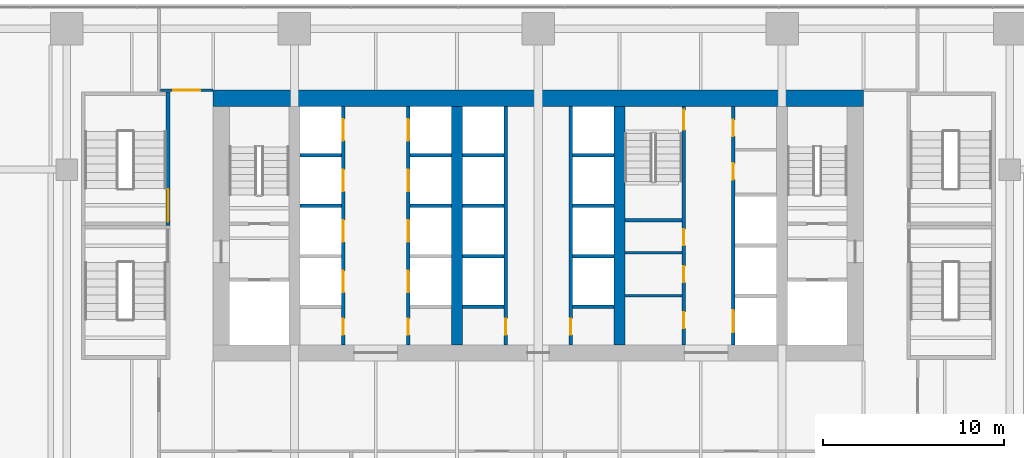
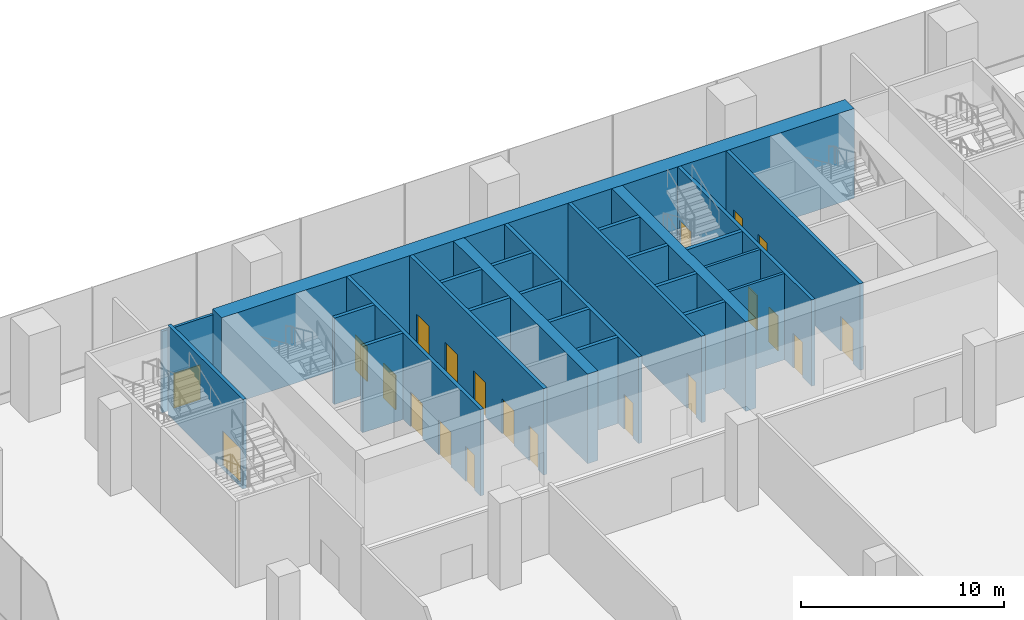
# One storey, part 20 of 26: 26 walls, 21 doors, 21 openings.
"""IFC4 building model written with IfcOpenShell, lengths in metres."""

from ifc_helpers import new_model, si_unit, direction, frame, frame_2d, origin, place, context, subcontext, project, spatial, rectangle, extrude, material, layer, layer_set, type_object, element, fill, save


model = new_model("IFC4")

# Units and contexts
model_context = context("Model", 3, precision=1e-05, world=origin(), true_north=direction((0.0, 1.0)))
body_context = subcontext(model_context, "Body", "Model", "MODEL_VIEW")
ifc_project = project(units=[si_unit("LENGTHUNIT", "METRE"), si_unit("AREAUNIT", "SQUARE_METRE"), si_unit("VOLUMEUNIT", "CUBIC_METRE"), si_unit("PLANEANGLEUNIT", "RADIAN"), si_unit("MASSUNIT", "GRAM", prefix="KILO")], contexts=[model_context])

# Site, building, storey
site_placement = place(None, origin())
site = spatial("IfcSite", under=ifc_project, at=site_placement, CompositionType="ELEMENT")
building_placement = place(site_placement, origin())
building = spatial("IfcBuilding", under=site, at=building_placement, Name="Rattan Terrace Tower", CompositionType="ELEMENT")
storey_placement = place(building_placement, frame((0.0, 0.0, 7.199951171875)))
storey = spatial("IfcBuildingStorey", under=building, at=storey_placement, Name="L01", CompositionType="ELEMENT", Elevation=7.199951171875)

# Walls
ifc_material_1 = material(Name="Gypsum board partition")
ifc_layer_1 = layer(ifc_material_1, 0.14990234375)
ifc_layer_set_1 = layer_set([ifc_layer_1], Name="Core partition 150")
wall_type_1 = type_object("IfcWallType", Name="Core partition 150", PredefinedType="PARTITIONING", material=ifc_layer_set_1)
for number, where, z_axis, x_axis, name in (
    (1, (4.800048828125, -3.8798828125, 0.0), (0.0, 0.0, 1.0), (1.0, 0.0, 0.0), "Toilet wall"),
    (2, (4.800048828125, -1.5, 0.0), (0.0, 0.0, 1.0), (1.0, 0.0, 0.0), "Toilet wall"),
):
    element("IfcWall", number, at=place(storey_placement, frame(where, z_axis=z_axis, x_axis=x_axis)), inside=storey, type_object=wall_type_1, Name=name, PredefinedType="PARTITIONING", context=body_context, shape_type="SweptSolid", body=[
        extrude(rectangle(XDim=3.14990234375, YDim=0.14990234375, at=frame_2d((1.574951171875, 0.0))), origin(), (0.0, 0.0, 1.0), 5.199951171875),
    ])

# Wall, openings, doors
ifc_material_2 = material(Name="Gypsum board partition")
ifc_layer_2 = layer(ifc_material_2, 0.199951171875)
ifc_layer_set_2 = layer_set([ifc_layer_2], Name="Core partition 200")
wall_type_2 = type_object("IfcWallType", Name="Core partition 200", PredefinedType="PARTITIONING", material=ifc_layer_set_2)
wall_1_placement = place(storey_placement, frame((8.050048828125, -6.60009765625, 0.0), z_axis=(0.0, 0.0, 1.0), x_axis=(0.0, 1.0, 0.0)))
wall_1 = element("IfcWall", 3, at=wall_1_placement, inside=storey, type_object=wall_type_2, Name="Lobby wall west", PredefinedType="PARTITIONING", context=body_context, shape_type="SweptSolid", body=[
    extrude(rectangle(XDim=13.2001953125, YDim=0.199951171875, at=frame_2d((6.60009765625, 0.0))), origin(), (0.0, 0.0, 1.0), 5.199951171875),
])
opening_1_placement = place(wall_1_placement, frame((0.909912109375, 0.0, 0.0)))
opening_1 = element("IfcOpeningElement", 4, at=opening_1_placement, cuts=wall_1, Name="Opening L01-D011", PredefinedType="OPENING", context=body_context, shape_type="SweptSolid", body=[
    extrude(rectangle(XDim=0.89990234375, YDim=2.10009765625, at=frame_2d((0.449951171875, 1.050048828125))), frame((0.0, 0.110595703125, 0.0), z_axis=(0.0, -1.0, 0.0), x_axis=(1.0, 0.0, 0.0)), (0.0, 0.0, 1.0), 0.220947265625),
])
opening_2_placement = place(wall_1_placement, frame((3.4599609375, 0.0, 0.0)))
opening_2 = element("IfcOpeningElement", 5, at=opening_2_placement, cuts=wall_1, Name="Opening L01-D012", PredefinedType="OPENING", context=body_context, shape_type="SweptSolid", body=[
    extrude(rectangle(XDim=0.89990234375, YDim=2.10009765625, at=frame_2d((0.449951171875, 1.050048828125))), frame((0.0, 0.110595703125, 0.0), z_axis=(0.0, -1.0, 0.0), x_axis=(1.0, 0.0, 0.0)), (0.0, 0.0, 1.0), 0.220947265625),
])
opening_3_placement = place(wall_1_placement, frame((5.5, 0.0, 0.0)))
opening_3 = element("IfcOpeningElement", 6, at=opening_3_placement, cuts=wall_1, Name="Opening L01-D013", PredefinedType="OPENING", context=body_context, shape_type="SweptSolid", body=[
    extrude(rectangle(XDim=0.89990234375, YDim=2.10009765625, at=frame_2d((0.449951171875, 1.050048828125))), frame((0.0, 0.110595703125, 0.0), z_axis=(0.0, -1.0, 0.0), x_axis=(1.0, 0.0, 0.0)), (0.0, 0.0, 1.0), 0.220947265625),
])
opening_4_placement = place(wall_1_placement, frame((11.89990234375, 0.0, 0.0)))
opening_4 = element("IfcOpeningElement", 7, at=opening_4_placement, cuts=wall_1, Name="Opening L01-D014", PredefinedType="OPENING", context=body_context, shape_type="SweptSolid", body=[
    extrude(rectangle(XDim=1.10009765625, YDim=2.10009765625, at=frame_2d((0.550048828125, 1.050048828125))), frame((0.0, 0.110595703125, 0.0), z_axis=(0.0, -1.0, 0.0), x_axis=(1.0, 0.0, 0.0)), (0.0, 0.0, 1.0), 0.220947265625),
])
ifc_material_3 = material(Name="Hollow-metal fire door leaf")
door_type_1 = type_object("IfcDoorType", Name="Core service room door 900", OperationType="NOTDEFINED", PredefinedType="DOOR", material=ifc_material_3)
door_1_placement = place(opening_3_placement, origin())
door_1 = element("IfcDoor", 8, at=door_1_placement, inside=storey, type_object=door_type_1, Name="Door L01-D013", OperationType="SINGLE_SWING_LEFT", OverallHeight=2.10009765625, OverallWidth=0.89990234375, PredefinedType="DOOR", context=body_context, shape_type="SweptSolid", body=[
    extrude(rectangle(XDim=0.89990234375, YDim=2.10009765625, at=frame_2d((0.449951171875, 1.050048828125))), frame((0.0, 0.02490234375, 0.0), z_axis=(0.0, -1.0, 0.0), x_axis=(1.0, 0.0, 0.0)), (0.0, 0.0, 1.0), 0.050048828125),
])
fill(opening_3, door_1)
ifc_material_4 = material(Name="Hollow-metal fire door leaf")
door_type_2 = type_object("IfcDoorType", Name="Core stair door 1100", OperationType="NOTDEFINED", PredefinedType="DOOR", material=ifc_material_4)
door_2_placement = place(opening_4_placement, origin())
door_2 = element("IfcDoor", 9, at=door_2_placement, inside=storey, type_object=door_type_2, Name="Door L01-D014", OperationType="SINGLE_SWING_RIGHT", OverallHeight=2.10009765625, OverallWidth=1.10009765625, PredefinedType="DOOR", context=body_context, shape_type="SweptSolid", body=[
    extrude(rectangle(XDim=1.10009765625, YDim=2.10009765625, at=frame_2d((0.550048828125, 1.050048828125))), frame((0.0, 0.02490234375, 0.0), z_axis=(0.0, -1.0, 0.0), x_axis=(1.0, 0.0, 0.0)), (0.0, 0.0, 1.0), 0.050048828125),
])
fill(opening_4, door_2)
ifc_material_5 = material(Name="Hollow-metal fire door leaf")
door_type_3 = type_object("IfcDoorType", Name="Core toilet door 900", OperationType="NOTDEFINED", PredefinedType="DOOR", material=ifc_material_5)
door_3_placement = place(opening_1_placement, origin())
door_3 = element("IfcDoor", 10, at=door_3_placement, inside=storey, type_object=door_type_3, Name="Door L01-D011", OperationType="SINGLE_SWING_LEFT", OverallHeight=2.10009765625, OverallWidth=0.89990234375, PredefinedType="DOOR", context=body_context, shape_type="SweptSolid", body=[
    extrude(rectangle(XDim=0.89990234375, YDim=2.10009765625, at=frame_2d((0.449951171875, 1.050048828125))), frame((0.0, 0.02490234375, 0.0), z_axis=(0.0, -1.0, 0.0), x_axis=(1.0, 0.0, 0.0)), (0.0, 0.0, 1.0), 0.050048828125),
])
fill(opening_1, door_3)
door_4_placement = place(opening_2_placement, origin())
door_4 = element("IfcDoor", 11, at=door_4_placement, inside=storey, type_object=door_type_3, Name="Door L01-D012", OperationType="SINGLE_SWING_RIGHT", OverallHeight=2.10009765625, OverallWidth=0.89990234375, PredefinedType="DOOR", context=body_context, shape_type="SweptSolid", body=[
    extrude(rectangle(XDim=0.89990234375, YDim=2.10009765625, at=frame_2d((0.449951171875, 1.050048828125))), frame((0.0, 0.02490234375, 0.0), z_axis=(0.0, -1.0, 0.0), x_axis=(1.0, 0.0, 0.0)), (0.0, 0.0, 1.0), 0.050048828125),
])
fill(opening_2, door_4)

# Walls
wall_2_placement = place(storey_placement, frame((4.800048828125, 0.300048828125, 0.0), z_axis=(0.0, 0.0, 1.0), x_axis=(1.0, 0.0, 0.0)))
element("IfcWall", 12, at=wall_2_placement, inside=storey, type_object=wall_type_2, Name="Stair enclosure wall", PredefinedType="PARTITIONING", context=body_context, shape_type="SweptSolid", body=[
    extrude(rectangle(XDim=3.14990234375, YDim=0.199951171875, at=frame_2d((1.574951171875, 0.0))), origin(), (0.0, 0.0, 1.0), 5.199951171875),
])
ifc_material_6 = material(Name="Concrete C70/85", Category="concrete")
ifc_layer_3 = layer(ifc_material_6, 0.89990234375)
ifc_layer_set_3 = layer_set([ifc_layer_3], Name="Core ring wall 900 C70/85")
wall_type_3 = type_object("IfcWallType", Name="Core ring wall 900 C70/85", PredefinedType="SHEAR", material=ifc_layer_set_3)
wall_3_placement = place(storey_placement, frame((-18.0, 7.050048828125, -0.199951171875), z_axis=(0.0, 0.0, 1.0), x_axis=(1.0, 0.0, 0.0)))
element("IfcWall", 13, at=wall_3_placement, inside=storey, type_object=wall_type_3, Name="Rear core wall north", PredefinedType="SHEAR", context=body_context, shape_type="SweptSolid", body=[
    extrude(rectangle(XDim=36.0, YDim=0.89990234375, at=frame_2d((18.0, 0.0))), origin(), (0.0, 0.0, 1.0), 5.39990234375),
])
ifc_material_7 = material(Name="Concrete C70/85", Category="concrete")
ifc_layer_4 = layer(ifc_material_7, 0.60009765625)
ifc_layer_set_4 = layer_set([ifc_layer_4], Name="Core spine wall 600 C70/85")
wall_type_4 = type_object("IfcWallType", Name="Core spine wall 600 C70/85", PredefinedType="SHEAR", material=ifc_layer_set_4)
for number, where, z_axis, x_axis, name in (
    (14, (-4.5, -6.60009765625, -0.199951171875), (0.0, 0.0, 1.0), (0.0, 1.0, 0.0), "Core spine wall 2"),
    (15, (4.5, -6.60009765625, -0.199951171875), (0.0, 0.0, 1.0), (0.0, 1.0, 0.0), "Core spine wall 3"),
):
    element("IfcWall", number, at=place(storey_placement, frame(where, z_axis=z_axis, x_axis=x_axis)), inside=storey, type_object=wall_type_4, Name=name, PredefinedType="SHEAR", context=body_context, shape_type="SweptSolid", body=[
        extrude(rectangle(XDim=13.2001953125, YDim=0.60009765625, at=frame_2d((6.60009765625, 0.0))), origin(), (0.0, 0.0, 1.0), 5.39990234375),
    ])

# Wall, opening, door
ifc_material_8 = material(Name="Gypsum board partition on steel studs, fire rated", Category="steel")
ifc_layer_5 = layer(ifc_material_8, 0.14990234375)
ifc_layer_set_5 = layer_set([ifc_layer_5], Name="Floors Tenancy Wall 150")
wall_type_5 = type_object("IfcWallType", Name="Floors Tenancy Wall 150", PredefinedType="PARTITIONING", material=ifc_layer_set_5)
wall_4_placement = place(storey_placement, frame((-20.909912109375, 7.4990234375, 0.0), z_axis=(0.0, 0.0, 1.0), x_axis=(1.0, 0.0, 0.0)))
wall_4 = element("IfcWall", 16, at=wall_4_placement, inside=storey, type_object=wall_type_5, Name="pt-L01-006", PredefinedType="PARTITIONING", context=body_context, shape_type="SweptSolid", body=[
    extrude(rectangle(XDim=2.909912109375, YDim=0.14990234375, at=frame_2d((1.455078125, 0.0))), origin(), (0.0, 0.0, 1.0), 4.900146484375),
])
opening_5_placement = place(wall_4_placement, frame((0.705078125, 0.0, 0.0)))
opening_5 = element("IfcOpeningElement", 17, at=opening_5_placement, cuts=wall_4, Name="Opening L01-D105", PredefinedType="OPENING", context=body_context, shape_type="SweptSolid", body=[
    extrude(rectangle(XDim=1.5, YDim=2.10009765625, at=frame_2d((0.75, 1.050048828125))), frame((0.0, 0.08544921875, 0.0), z_axis=(0.0, -1.0, 0.0), x_axis=(1.0, 0.0, 0.0)), (0.0, 0.0, 1.0), 0.1708984375),
])
ifc_material_9 = material(Name="Steel fire door set", Category="steel")
door_type_4 = type_object("IfcDoorType", Name="Floors Unit Door Pair FD30S 1500x2100", OperationType="NOTDEFINED", PredefinedType="DOOR", material=ifc_material_9)
door_5_placement = place(opening_5_placement, origin())
door_5 = element("IfcDoor", 18, at=door_5_placement, inside=storey, type_object=door_type_4, Name="d-L01-105", OperationType="DOUBLE_DOOR_SINGLE_SWING", OverallHeight=2.10009765625, OverallWidth=1.5, PredefinedType="DOOR", context=body_context, shape_type="SweptSolid", body=[
    extrude(rectangle(XDim=1.5, YDim=2.10009765625, at=frame_2d((0.75, 1.050048828125))), frame((0.0, 0.02490234375, 0.0), z_axis=(0.0, -1.0, 0.0), x_axis=(1.0, 0.0, 0.0)), (0.0, 0.0, 1.0), 0.050048828125),
])
fill(opening_5, door_5)

# Wall, openings, doors
ifc_material_10 = material(Name="Gypsum shaft wall system")
ifc_layer_6 = layer(ifc_material_10, 0.199951171875)
ifc_layer_set_6 = layer_set([ifc_layer_6], Name="Lift shaft wall 200")
wall_type_6 = type_object("IfcWallType", Name="Lift shaft wall 200", PredefinedType="PARTITIONING", material=ifc_layer_set_6)
wall_5_placement = place(storey_placement, frame((-10.800048828125, -6.60009765625, 0.0), z_axis=(0.0, 0.0, 1.0), x_axis=(0.0, 1.0, 0.0)))
wall_5 = element("IfcWall", 19, at=wall_5_placement, inside=storey, type_object=wall_type_6, Name="Lift shaft front wall", PredefinedType="PARTITIONING", context=body_context, shape_type="SweptSolid", body=[
    extrude(rectangle(XDim=13.2001953125, YDim=0.199951171875, at=frame_2d((6.60009765625, 0.0))), origin(), (0.0, 0.0, 1.0), 5.199951171875),
])
opening_6_placement = place(wall_5_placement, frame((0.550048828125, 0.0, 0.0)))
opening_6 = element("IfcOpeningElement", 20, at=opening_6_placement, cuts=wall_5, Name="Opening L01-D005", PredefinedType="OPENING", context=body_context, shape_type="SweptSolid", body=[
    extrude(rectangle(XDim=0.89990234375, YDim=2.10009765625, at=frame_2d((0.449951171875, 1.050048828125))), frame((0.0, 0.110595703125, 0.0), z_axis=(0.0, -1.0, 0.0), x_axis=(1.0, 0.0, 0.0)), (0.0, 0.0, 1.0), 0.220947265625),
])
opening_7_placement = place(wall_5_placement, frame((2.89990234375, 0.0, 0.0)))
opening_7 = element("IfcOpeningElement", 21, at=opening_7_placement, cuts=wall_5, Name="Opening L01-LD-LR1", PredefinedType="OPENING", context=body_context, shape_type="SweptSolid", body=[
    extrude(rectangle(XDim=1.199951171875, YDim=2.10009765625, at=frame_2d((0.60009765625, 1.050048828125))), frame((0.0, 0.110595703125, 0.0), z_axis=(0.0, -1.0, 0.0), x_axis=(1.0, 0.0, 0.0)), (0.0, 0.0, 1.0), 0.220947265625),
])
opening_8_placement = place(wall_5_placement, frame((5.699951171875, 0.0, 0.0)))
opening_8 = element("IfcOpeningElement", 22, at=opening_8_placement, cuts=wall_5, Name="Opening L01-LD-LR2", PredefinedType="OPENING", context=body_context, shape_type="SweptSolid", body=[
    extrude(rectangle(XDim=1.199951171875, YDim=2.10009765625, at=frame_2d((0.60009765625, 1.050048828125))), frame((0.0, 0.110595703125, 0.0), z_axis=(0.0, -1.0, 0.0), x_axis=(1.0, 0.0, 0.0)), (0.0, 0.0, 1.0), 0.220947265625),
])
opening_9_placement = place(wall_5_placement, frame((8.5, 0.0, 0.0)))
opening_9 = element("IfcOpeningElement", 23, at=opening_9_placement, cuts=wall_5, Name="Opening L01-LD-LR3", PredefinedType="OPENING", context=body_context, shape_type="SweptSolid", body=[
    extrude(rectangle(XDim=1.199951171875, YDim=2.10009765625, at=frame_2d((0.60009765625, 1.050048828125))), frame((0.0, 0.110595703125, 0.0), z_axis=(0.0, -1.0, 0.0), x_axis=(1.0, 0.0, 0.0)), (0.0, 0.0, 1.0), 0.220947265625),
])
opening_10_placement = place(wall_5_placement, frame((11.300048828125, 0.0, 0.0)))
opening_10 = element("IfcOpeningElement", 24, at=opening_10_placement, cuts=wall_5, Name="Opening L01-LD-LR4", PredefinedType="OPENING", context=body_context, shape_type="SweptSolid", body=[
    extrude(rectangle(XDim=1.199951171875, YDim=2.10009765625, at=frame_2d((0.60009765625, 1.050048828125))), frame((0.0, 0.110595703125, 0.0), z_axis=(0.0, -1.0, 0.0), x_axis=(1.0, 0.0, 0.0)), (0.0, 0.0, 1.0), 0.220947265625),
])
ifc_material_11 = material(Name="Brushed stainless landing door panel")
door_type_5 = type_object("IfcDoorType", Name="Core lift landing door 1200", OperationType="DOUBLE_DOOR_SLIDING", PredefinedType="DOOR", material=ifc_material_11)
door_6_placement = place(opening_7_placement, origin())
door_6 = element("IfcDoor", 25, at=door_6_placement, inside=storey, type_object=door_type_5, Name="Door L01-LD-LR1", OperationType="DOUBLE_DOOR_SLIDING", OverallHeight=2.10009765625, OverallWidth=1.199951171875, PredefinedType="DOOR", context=body_context, shape_type="SweptSolid", body=[
    extrude(rectangle(XDim=1.199951171875, YDim=2.10009765625, at=frame_2d((0.60009765625, 1.050048828125))), frame((0.0, 0.02490234375, 0.0), z_axis=(0.0, -1.0, 0.0), x_axis=(1.0, 0.0, 0.0)), (0.0, 0.0, 1.0), 0.050048828125),
])
fill(opening_7, door_6)
door_7_placement = place(opening_8_placement, origin())
door_7 = element("IfcDoor", 26, at=door_7_placement, inside=storey, type_object=door_type_5, Name="Door L01-LD-LR2", OperationType="DOUBLE_DOOR_SLIDING", OverallHeight=2.10009765625, OverallWidth=1.199951171875, PredefinedType="DOOR", context=body_context, shape_type="SweptSolid", body=[
    extrude(rectangle(XDim=1.199951171875, YDim=2.10009765625, at=frame_2d((0.60009765625, 1.050048828125))), frame((0.0, 0.02490234375, 0.0), z_axis=(0.0, -1.0, 0.0), x_axis=(1.0, 0.0, 0.0)), (0.0, 0.0, 1.0), 0.050048828125),
])
fill(opening_8, door_7)
door_8_placement = place(opening_9_placement, origin())
door_8 = element("IfcDoor", 27, at=door_8_placement, inside=storey, type_object=door_type_5, Name="Door L01-LD-LR3", OperationType="DOUBLE_DOOR_SLIDING", OverallHeight=2.10009765625, OverallWidth=1.199951171875, PredefinedType="DOOR", context=body_context, shape_type="SweptSolid", body=[
    extrude(rectangle(XDim=1.199951171875, YDim=2.10009765625, at=frame_2d((0.60009765625, 1.050048828125))), frame((0.0, 0.02490234375, 0.0), z_axis=(0.0, -1.0, 0.0), x_axis=(1.0, 0.0, 0.0)), (0.0, 0.0, 1.0), 0.050048828125),
])
fill(opening_9, door_8)
door_9_placement = place(opening_10_placement, origin())
door_9 = element("IfcDoor", 28, at=door_9_placement, inside=storey, type_object=door_type_5, Name="Door L01-LD-LR4", OperationType="DOUBLE_DOOR_SLIDING", OverallHeight=2.10009765625, OverallWidth=1.199951171875, PredefinedType="DOOR", context=body_context, shape_type="SweptSolid", body=[
    extrude(rectangle(XDim=1.199951171875, YDim=2.10009765625, at=frame_2d((0.60009765625, 1.050048828125))), frame((0.0, 0.02490234375, 0.0), z_axis=(0.0, -1.0, 0.0), x_axis=(1.0, 0.0, 0.0)), (0.0, 0.0, 1.0), 0.050048828125),
])
fill(opening_10, door_9)
ifc_material_12 = material(Name="Hollow-metal fire door leaf")
door_type_6 = type_object("IfcDoorType", Name="Core riser door 900", OperationType="NOTDEFINED", PredefinedType="DOOR", material=ifc_material_12)
door_10_placement = place(opening_6_placement, origin())
door_10 = element("IfcDoor", 29, at=door_10_placement, inside=storey, type_object=door_type_6, Name="Door L01-D005", OperationType="SINGLE_SWING_RIGHT", OverallHeight=2.10009765625, OverallWidth=0.89990234375, PredefinedType="DOOR", context=body_context, shape_type="SweptSolid", body=[
    extrude(rectangle(XDim=0.89990234375, YDim=2.10009765625, at=frame_2d((0.449951171875, 1.050048828125))), frame((0.0, 0.02490234375, 0.0), z_axis=(0.0, -1.0, 0.0), x_axis=(1.0, 0.0, 0.0)), (0.0, 0.0, 1.0), 0.050048828125),
])
fill(opening_6, door_10)

wall_6_placement = place(storey_placement, frame((-7.199951171875, -6.60009765625, 0.0), z_axis=(0.0, 0.0, 1.0), x_axis=(0.0, 1.0, 0.0)))
wall_6 = element("IfcWall", 30, at=wall_6_placement, inside=storey, type_object=wall_type_6, Name="Lift shaft front wall", PredefinedType="PARTITIONING", context=body_context, shape_type="SweptSolid", body=[
    extrude(rectangle(XDim=13.2001953125, YDim=0.199951171875, at=frame_2d((6.60009765625, 0.0))), origin(), (0.0, 0.0, 1.0), 5.199951171875),
])
opening_11_placement = place(wall_6_placement, frame((0.550048828125, 0.0, 0.0)))
opening_11 = element("IfcOpeningElement", 31, at=opening_11_placement, cuts=wall_6, Name="Opening L01-D006", PredefinedType="OPENING", context=body_context, shape_type="SweptSolid", body=[
    extrude(rectangle(XDim=0.89990234375, YDim=2.10009765625, at=frame_2d((0.449951171875, 1.050048828125))), frame((0.0, 0.110595703125, 0.0), z_axis=(0.0, -1.0, 0.0), x_axis=(1.0, 0.0, 0.0)), (0.0, 0.0, 1.0), 0.220947265625),
])
opening_12_placement = place(wall_6_placement, frame((2.89990234375, 0.0, 0.0)))
opening_12 = element("IfcOpeningElement", 32, at=opening_12_placement, cuts=wall_6, Name="Opening L01-LD-LR5", PredefinedType="OPENING", context=body_context, shape_type="SweptSolid", body=[
    extrude(rectangle(XDim=1.199951171875, YDim=2.10009765625, at=frame_2d((0.60009765625, 1.050048828125))), frame((0.0, 0.110595703125, 0.0), z_axis=(0.0, -1.0, 0.0), x_axis=(1.0, 0.0, 0.0)), (0.0, 0.0, 1.0), 0.220947265625),
])
opening_13_placement = place(wall_6_placement, frame((5.699951171875, 0.0, 0.0)))
opening_13 = element("IfcOpeningElement", 33, at=opening_13_placement, cuts=wall_6, Name="Opening L01-LD-LR6", PredefinedType="OPENING", context=body_context, shape_type="SweptSolid", body=[
    extrude(rectangle(XDim=1.199951171875, YDim=2.10009765625, at=frame_2d((0.60009765625, 1.050048828125))), frame((0.0, 0.110595703125, 0.0), z_axis=(0.0, -1.0, 0.0), x_axis=(1.0, 0.0, 0.0)), (0.0, 0.0, 1.0), 0.220947265625),
])
opening_14_placement = place(wall_6_placement, frame((8.5, 0.0, 0.0)))
opening_14 = element("IfcOpeningElement", 34, at=opening_14_placement, cuts=wall_6, Name="Opening L01-LD-LR7", PredefinedType="OPENING", context=body_context, shape_type="SweptSolid", body=[
    extrude(rectangle(XDim=1.199951171875, YDim=2.10009765625, at=frame_2d((0.60009765625, 1.050048828125))), frame((0.0, 0.110595703125, 0.0), z_axis=(0.0, -1.0, 0.0), x_axis=(1.0, 0.0, 0.0)), (0.0, 0.0, 1.0), 0.220947265625),
])
opening_15_placement = place(wall_6_placement, frame((11.300048828125, 0.0, 0.0)))
opening_15 = element("IfcOpeningElement", 35, at=opening_15_placement, cuts=wall_6, Name="Opening L01-LD-LR8", PredefinedType="OPENING", context=body_context, shape_type="SweptSolid", body=[
    extrude(rectangle(XDim=1.199951171875, YDim=2.10009765625, at=frame_2d((0.60009765625, 1.050048828125))), frame((0.0, 0.110595703125, 0.0), z_axis=(0.0, -1.0, 0.0), x_axis=(1.0, 0.0, 0.0)), (0.0, 0.0, 1.0), 0.220947265625),
])
door_11_placement = place(opening_12_placement, origin())
door_11 = element("IfcDoor", 36, at=door_11_placement, inside=storey, type_object=door_type_5, Name="Door L01-LD-LR5", OperationType="DOUBLE_DOOR_SLIDING", OverallHeight=2.10009765625, OverallWidth=1.199951171875, PredefinedType="DOOR", context=body_context, shape_type="SweptSolid", body=[
    extrude(rectangle(XDim=1.199951171875, YDim=2.10009765625, at=frame_2d((0.60009765625, 1.050048828125))), frame((0.0, 0.02490234375, 0.0), z_axis=(0.0, -1.0, 0.0), x_axis=(1.0, 0.0, 0.0)), (0.0, 0.0, 1.0), 0.050048828125),
])
fill(opening_12, door_11)
door_12_placement = place(opening_13_placement, origin())
door_12 = element("IfcDoor", 37, at=door_12_placement, inside=storey, type_object=door_type_5, Name="Door L01-LD-LR6", OperationType="DOUBLE_DOOR_SLIDING", OverallHeight=2.10009765625, OverallWidth=1.199951171875, PredefinedType="DOOR", context=body_context, shape_type="SweptSolid", body=[
    extrude(rectangle(XDim=1.199951171875, YDim=2.10009765625, at=frame_2d((0.60009765625, 1.050048828125))), frame((0.0, 0.02490234375, 0.0), z_axis=(0.0, -1.0, 0.0), x_axis=(1.0, 0.0, 0.0)), (0.0, 0.0, 1.0), 0.050048828125),
])
fill(opening_13, door_12)
door_13_placement = place(opening_14_placement, origin())
door_13 = element("IfcDoor", 38, at=door_13_placement, inside=storey, type_object=door_type_5, Name="Door L01-LD-LR7", OperationType="DOUBLE_DOOR_SLIDING", OverallHeight=2.10009765625, OverallWidth=1.199951171875, PredefinedType="DOOR", context=body_context, shape_type="SweptSolid", body=[
    extrude(rectangle(XDim=1.199951171875, YDim=2.10009765625, at=frame_2d((0.60009765625, 1.050048828125))), frame((0.0, 0.02490234375, 0.0), z_axis=(0.0, -1.0, 0.0), x_axis=(1.0, 0.0, 0.0)), (0.0, 0.0, 1.0), 0.050048828125),
])
fill(opening_14, door_13)
door_14_placement = place(opening_15_placement, origin())
door_14 = element("IfcDoor", 39, at=door_14_placement, inside=storey, type_object=door_type_5, Name="Door L01-LD-LR8", OperationType="DOUBLE_DOOR_SLIDING", OverallHeight=2.10009765625, OverallWidth=1.199951171875, PredefinedType="DOOR", context=body_context, shape_type="SweptSolid", body=[
    extrude(rectangle(XDim=1.199951171875, YDim=2.10009765625, at=frame_2d((0.60009765625, 1.050048828125))), frame((0.0, 0.02490234375, 0.0), z_axis=(0.0, -1.0, 0.0), x_axis=(1.0, 0.0, 0.0)), (0.0, 0.0, 1.0), 0.050048828125),
])
fill(opening_15, door_14)
door_15_placement = place(opening_11_placement, origin())
door_15 = element("IfcDoor", 40, at=door_15_placement, inside=storey, type_object=door_type_6, Name="Door L01-D006", OperationType="SINGLE_SWING_LEFT", OverallHeight=2.10009765625, OverallWidth=0.89990234375, PredefinedType="DOOR", context=body_context, shape_type="SweptSolid", body=[
    extrude(rectangle(XDim=0.89990234375, YDim=2.10009765625, at=frame_2d((0.449951171875, 1.050048828125))), frame((0.0, 0.02490234375, 0.0), z_axis=(0.0, -1.0, 0.0), x_axis=(1.0, 0.0, 0.0)), (0.0, 0.0, 1.0), 0.050048828125),
])
fill(opening_11, door_15)

# Walls
for number, where, z_axis, x_axis, name in (
    (41, (-13.199951171875, 1.10009765625, 0.0), (0.0, 0.0, 1.0), (1.0, 0.0, 0.0), "Lift shaft wall"),
    (42, (-13.199951171875, 3.89990234375, 0.0), (0.0, 0.0, 1.0), (1.0, 0.0, 0.0), "Lift shaft wall"),
    (43, (-7.10009765625, 1.10009765625, 0.0), (0.0, 0.0, 1.0), (1.0, 0.0, 0.0), "Lift shaft wall"),
    (44, (-7.10009765625, 3.89990234375, 0.0), (0.0, 0.0, 1.0), (1.0, 0.0, 0.0), "Lift shaft wall"),
):
    element("IfcWall", number, at=place(storey_placement, frame(where, z_axis=z_axis, x_axis=x_axis)), inside=storey, type_object=wall_type_6, Name=name, PredefinedType="PARTITIONING", context=body_context, shape_type="SweptSolid", body=[
        extrude(rectangle(XDim=2.300048828125, YDim=0.199951171875, at=frame_2d((1.14990234375, 0.0))), origin(), (0.0, 0.0, 1.0), 5.199951171875),
    ])

# Wall, opening, door
wall_7_placement = place(storey_placement, frame((-1.800048828125, -6.60009765625, 0.0), z_axis=(0.0, 0.0, 1.0), x_axis=(0.0, 1.0, 0.0)))
wall_7 = element("IfcWall", 45, at=wall_7_placement, inside=storey, type_object=wall_type_6, Name="Lift shaft front wall", PredefinedType="PARTITIONING", context=body_context, shape_type="SweptSolid", body=[
    extrude(rectangle(XDim=13.2001953125, YDim=0.199951171875, at=frame_2d((6.60009765625, 0.0))), origin(), (0.0, 0.0, 1.0), 5.199951171875),
])
opening_16_placement = place(wall_7_placement, frame((0.550048828125, 0.0, 0.0)))
opening_16 = element("IfcOpeningElement", 46, at=opening_16_placement, cuts=wall_7, Name="Opening L01-D008", PredefinedType="OPENING", context=body_context, shape_type="SweptSolid", body=[
    extrude(rectangle(XDim=0.89990234375, YDim=2.10009765625, at=frame_2d((0.449951171875, 1.050048828125))), frame((0.0, 0.110595703125, 0.0), z_axis=(0.0, -1.0, 0.0), x_axis=(1.0, 0.0, 0.0)), (0.0, 0.0, 1.0), 0.220947265625),
])
door_16_placement = place(opening_16_placement, origin())
door_16 = element("IfcDoor", 47, at=door_16_placement, inside=storey, type_object=door_type_6, Name="Door L01-D008", OperationType="SINGLE_SWING_RIGHT", OverallHeight=2.10009765625, OverallWidth=0.89990234375, PredefinedType="DOOR", context=body_context, shape_type="SweptSolid", body=[
    extrude(rectangle(XDim=0.89990234375, YDim=2.10009765625, at=frame_2d((0.449951171875, 1.050048828125))), frame((0.0, 0.02490234375, 0.0), z_axis=(0.0, -1.0, 0.0), x_axis=(1.0, 0.0, 0.0)), (0.0, 0.0, 1.0), 0.050048828125),
])
fill(opening_16, door_16)

wall_8_placement = place(storey_placement, frame((1.800048828125, -6.60009765625, 0.0), z_axis=(0.0, 0.0, 1.0), x_axis=(0.0, 1.0, 0.0)))
wall_8 = element("IfcWall", 48, at=wall_8_placement, inside=storey, type_object=wall_type_6, Name="Lift shaft front wall", PredefinedType="PARTITIONING", context=body_context, shape_type="SweptSolid", body=[
    extrude(rectangle(XDim=13.2001953125, YDim=0.199951171875, at=frame_2d((6.60009765625, 0.0))), origin(), (0.0, 0.0, 1.0), 5.199951171875),
])
opening_17_placement = place(wall_8_placement, frame((0.550048828125, 0.0, 0.0)))
opening_17 = element("IfcOpeningElement", 49, at=opening_17_placement, cuts=wall_8, Name="Opening L01-D009", PredefinedType="OPENING", context=body_context, shape_type="SweptSolid", body=[
    extrude(rectangle(XDim=0.89990234375, YDim=2.10009765625, at=frame_2d((0.449951171875, 1.050048828125))), frame((0.0, 0.110595703125, 0.0), z_axis=(0.0, -1.0, 0.0), x_axis=(1.0, 0.0, 0.0)), (0.0, 0.0, 1.0), 0.220947265625),
])
door_17_placement = place(opening_17_placement, origin())
door_17 = element("IfcDoor", 50, at=door_17_placement, inside=storey, type_object=door_type_6, Name="Door L01-D009", OperationType="SINGLE_SWING_LEFT", OverallHeight=2.10009765625, OverallWidth=0.89990234375, PredefinedType="DOOR", context=body_context, shape_type="SweptSolid", body=[
    extrude(rectangle(XDim=0.89990234375, YDim=2.10009765625, at=frame_2d((0.449951171875, 1.050048828125))), frame((0.0, 0.02490234375, 0.0), z_axis=(0.0, -1.0, 0.0), x_axis=(1.0, 0.0, 0.0)), (0.0, 0.0, 1.0), 0.050048828125),
])
fill(opening_17, door_17)

# Walls
for number, where, z_axis, x_axis, name in (
    (51, (-4.199951171875, -1.699951171875, 0.0), (0.0, 0.0, 1.0), (1.0, 0.0, 0.0), "Lift shaft wall"),
    (52, (-4.199951171875, 1.10009765625, 0.0), (0.0, 0.0, 1.0), (1.0, 0.0, 0.0), "Lift shaft wall"),
    (53, (-4.199951171875, 3.89990234375, 0.0), (0.0, 0.0, 1.0), (1.0, 0.0, 0.0), "Lift shaft wall"),
    (54, (-4.199951171875, -4.5, 0.0), (0.0, 0.0, 1.0), (1.0, 0.0, 0.0), "Lift shaft wall"),
    (55, (1.89990234375, -1.699951171875, 0.0), (0.0, 0.0, 1.0), (1.0, 0.0, 0.0), "Lift shaft wall"),
    (56, (1.89990234375, 1.10009765625, 0.0), (0.0, 0.0, 1.0), (1.0, 0.0, 0.0), "Lift shaft wall"),
    (57, (1.89990234375, 3.89990234375, 0.0), (0.0, 0.0, 1.0), (1.0, 0.0, 0.0), "Lift shaft wall"),
    (58, (1.89990234375, -4.5, 0.0), (0.0, 0.0, 1.0), (1.0, 0.0, 0.0), "Lift shaft wall"),
):
    element("IfcWall", number, at=place(storey_placement, frame(where, z_axis=z_axis, x_axis=x_axis)), inside=storey, type_object=wall_type_6, Name=name, PredefinedType="PARTITIONING", context=body_context, shape_type="SweptSolid", body=[
        extrude(rectangle(XDim=2.300048828125, YDim=0.199951171875, at=frame_2d((1.14990234375, 0.0))), origin(), (0.0, 0.0, 1.0), 5.199951171875),
    ])

# Wall, openings, doors
wall_9_placement = place(storey_placement, frame((10.800048828125, -6.60009765625, 0.0), z_axis=(0.0, 0.0, 1.0), x_axis=(0.0, 1.0, 0.0)))
wall_9 = element("IfcWall", 59, at=wall_9_placement, inside=storey, type_object=wall_type_6, Name="Lift shaft front wall", PredefinedType="PARTITIONING", context=body_context, shape_type="SweptSolid", body=[
    extrude(rectangle(XDim=13.2001953125, YDim=0.199951171875, at=frame_2d((6.60009765625, 0.0))), origin(), (0.0, 0.0, 1.0), 5.199951171875),
])
opening_18_placement = place(wall_9_placement, frame((0.699951171875, 0.0, 0.0)))
opening_18 = element("IfcOpeningElement", 60, at=opening_18_placement, cuts=wall_9, Name="Opening L01-LD-SV1", PredefinedType="OPENING", context=body_context, shape_type="SweptSolid", body=[
    extrude(rectangle(XDim=1.199951171875, YDim=2.10009765625, at=frame_2d((0.60009765625, 1.050048828125))), frame((0.0, 0.110595703125, 0.0), z_axis=(0.0, -1.0, 0.0), x_axis=(1.0, 0.0, 0.0)), (0.0, 0.0, 1.0), 0.220947265625),
])
opening_19_placement = place(wall_9_placement, frame((9.14990234375, 0.0, 0.0)))
opening_19 = element("IfcOpeningElement", 61, at=opening_19_placement, cuts=wall_9, Name="Opening L01-D016", PredefinedType="OPENING", context=body_context, shape_type="SweptSolid", body=[
    extrude(rectangle(XDim=0.89990234375, YDim=2.10009765625, at=frame_2d((0.449951171875, 1.050048828125))), frame((0.0, 0.110595703125, 0.0), z_axis=(0.0, -1.0, 0.0), x_axis=(1.0, 0.0, 0.0)), (0.0, 0.0, 1.0), 0.220947265625),
])
opening_20_placement = place(wall_9_placement, frame((11.550048828125, 0.0, 0.0)))
opening_20 = element("IfcOpeningElement", 62, at=opening_20_placement, cuts=wall_9, Name="Opening L01-D017", PredefinedType="OPENING", context=body_context, shape_type="SweptSolid", body=[
    extrude(rectangle(XDim=0.89990234375, YDim=2.10009765625, at=frame_2d((0.449951171875, 1.050048828125))), frame((0.0, 0.110595703125, 0.0), z_axis=(0.0, -1.0, 0.0), x_axis=(1.0, 0.0, 0.0)), (0.0, 0.0, 1.0), 0.220947265625),
])
door_18_placement = place(opening_18_placement, origin())
door_18 = element("IfcDoor", 63, at=door_18_placement, inside=storey, type_object=door_type_5, Name="Door L01-LD-SV1", OperationType="DOUBLE_DOOR_SLIDING", OverallHeight=2.10009765625, OverallWidth=1.199951171875, PredefinedType="DOOR", context=body_context, shape_type="SweptSolid", body=[
    extrude(rectangle(XDim=1.199951171875, YDim=2.10009765625, at=frame_2d((0.60009765625, 1.050048828125))), frame((0.0, 0.02490234375, 0.0), z_axis=(0.0, -1.0, 0.0), x_axis=(1.0, 0.0, 0.0)), (0.0, 0.0, 1.0), 0.050048828125),
])
fill(opening_18, door_18)
door_19_placement = place(opening_19_placement, origin())
door_19 = element("IfcDoor", 64, at=door_19_placement, inside=storey, type_object=door_type_6, Name="Door L01-D016", OperationType="SINGLE_SWING_LEFT", OverallHeight=2.10009765625, OverallWidth=0.89990234375, PredefinedType="DOOR", context=body_context, shape_type="SweptSolid", body=[
    extrude(rectangle(XDim=0.89990234375, YDim=2.10009765625, at=frame_2d((0.449951171875, 1.050048828125))), frame((0.0, 0.02490234375, 0.0), z_axis=(0.0, -1.0, 0.0), x_axis=(1.0, 0.0, 0.0)), (0.0, 0.0, 1.0), 0.050048828125),
])
fill(opening_19, door_19)
door_20_placement = place(opening_20_placement, origin())
door_20 = element("IfcDoor", 65, at=door_20_placement, inside=storey, type_object=door_type_6, Name="Door L01-D017", OperationType="SINGLE_SWING_RIGHT", OverallHeight=2.10009765625, OverallWidth=0.89990234375, PredefinedType="DOOR", context=body_context, shape_type="SweptSolid", body=[
    extrude(rectangle(XDim=0.89990234375, YDim=2.10009765625, at=frame_2d((0.449951171875, 1.050048828125))), frame((0.0, 0.02490234375, 0.0), z_axis=(0.0, -1.0, 0.0), x_axis=(1.0, 0.0, 0.0)), (0.0, 0.0, 1.0), 0.050048828125),
])
fill(opening_20, door_20)

# Wall, opening, door
ifc_material_13 = material(Name="Concrete C40/50", Category="concrete")
ifc_layer_7 = layer(ifc_material_13, 0.199951171875)
ifc_layer_set_7 = layer_set([ifc_layer_7], Name="Podium exit stair shaft wall 200")
wall_type_7 = type_object("IfcWallType", Name="Podium exit stair shaft wall 200", PredefinedType="SHEAR", material=ifc_layer_set_7)
wall_10_placement = place(storey_placement, frame((-20.5, 7.39990234375, -0.199951171875), z_axis=(0.0, 0.0, 1.0), x_axis=(0.0, -1.0, 0.0)))
wall_10 = element("IfcWall", 66, at=wall_10_placement, inside=storey, type_object=wall_type_7, Name="L01 stair S5 shaft wall", PredefinedType="SHEAR", context=body_context, shape_type="SweptSolid", body=[
    extrude(rectangle(XDim=7.39990234375, YDim=0.199951171875, at=frame_2d((3.699951171875, 0.0))), origin(), (0.0, 0.0, 1.0), 5.39990234375),
])
opening_21_placement = place(wall_10_placement, frame((5.375, 0.0, 0.199951171875)))
opening_21 = element("IfcOpeningElement", 67, at=opening_21_placement, cuts=wall_10, Name="Opening L01-D902", PredefinedType="OPENING", context=body_context, shape_type="SweptSolid", body=[
    extrude(rectangle(XDim=1.800048828125, YDim=2.10009765625, at=frame_2d((0.89990234375, 1.050048828125))), frame((0.0, 0.110595703125, 0.0), z_axis=(0.0, -1.0, 0.0), x_axis=(1.0, 0.0, 0.0)), (0.0, 0.0, 1.0), 0.220947265625),
])
ifc_material_14 = material(Name="Hollow-metal fire door leaf")
door_type_7 = type_object("IfcDoorType", Name="Podium exit stair door pair 1800", OperationType="DOUBLE_DOOR_SINGLE_SWING", PredefinedType="DOOR", material=ifc_material_14)
door_21_placement = place(opening_21_placement, origin())
door_21 = element("IfcDoor", 68, at=door_21_placement, inside=storey, type_object=door_type_7, Name="Door L01-D902", OperationType="DOUBLE_DOOR_SINGLE_SWING", OverallHeight=2.10009765625, OverallWidth=1.800048828125, PredefinedType="DOOR", context=body_context, shape_type="SweptSolid", body=[
    extrude(rectangle(XDim=1.800048828125, YDim=2.10009765625, at=frame_2d((0.89990234375, 1.050048828125))), frame((0.0, 0.02490234375, 0.0), z_axis=(0.0, -1.0, 0.0), x_axis=(1.0, 0.0, 0.0)), (0.0, 0.0, 1.0), 0.050048828125),
])
fill(opening_21, door_21)

save(model, "model.ifc")
